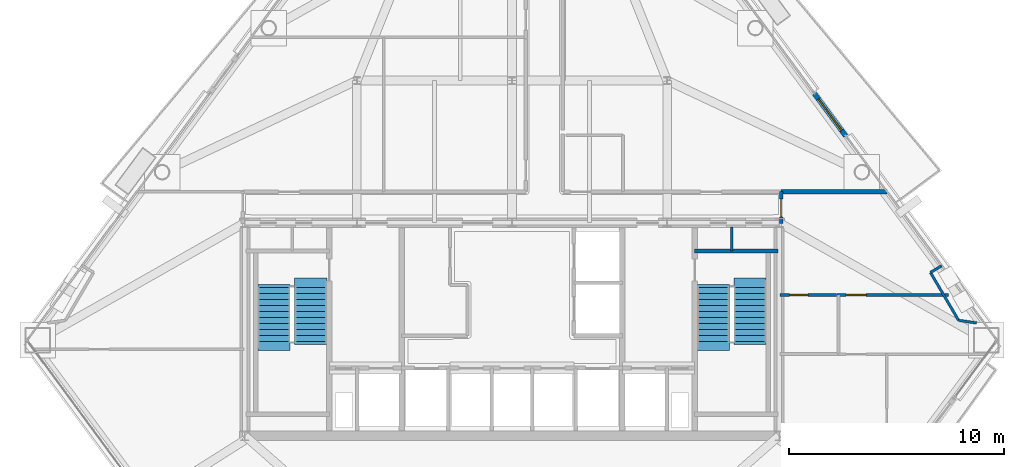
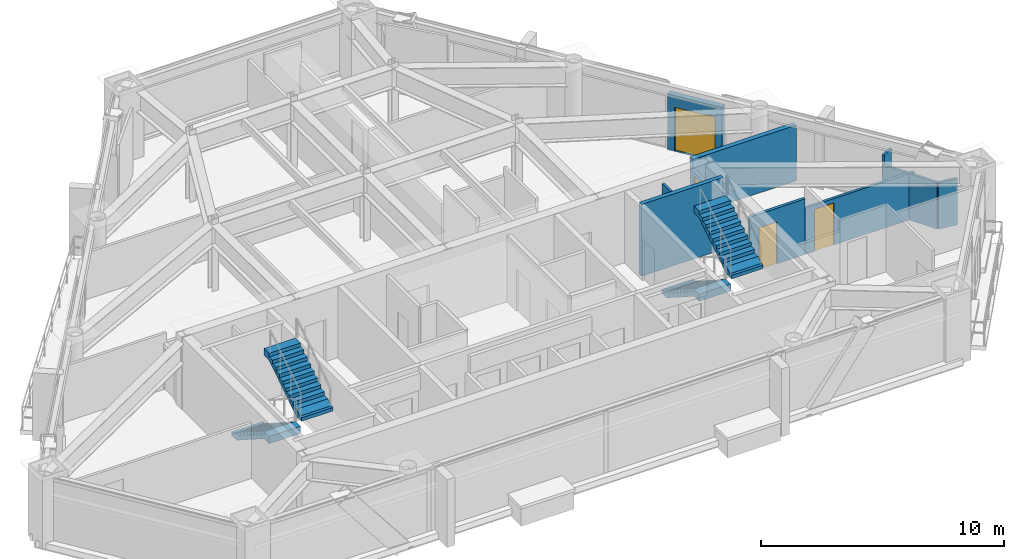
# One storey, part 9 of 11: 10 walls, 4 doors, 4 stair flights, 4 openings, 2 elements without a shape of their own.
"""IFC4 building model written with IfcOpenShell, lengths in metres."""

from ifc_helpers import new_model, si_unit, direction, frame, frame_2d, origin, place, context, subcontext, project, spatial, polyline, rectangle, outline, extrude, material, layer, layer_set, type_object, element, fill, aggregate, save


model = new_model("IFC4")

# Units and contexts
model_context = context("Model", 3, precision=1e-05, world=origin(), true_north=direction((0.0, 1.0)))
body_context = subcontext(model_context, "Body", "Model", "MODEL_VIEW")
ifc_project = project(units=[si_unit("LENGTHUNIT", "METRE"), si_unit("AREAUNIT", "SQUARE_METRE"), si_unit("VOLUMEUNIT", "CUBIC_METRE"), si_unit("PLANEANGLEUNIT", "RADIAN"), si_unit("MASSUNIT", "GRAM", prefix="KILO")], contexts=[model_context])

# Site, building, storey
site_placement = place(None, origin())
site = spatial("IfcSite", under=ifc_project, at=site_placement, CompositionType="ELEMENT")
building_placement = place(site_placement, origin())
building = spatial("IfcBuilding", under=site, at=building_placement, Name="Talgorran Terracotta Tower", CompositionType="ELEMENT")
storey_placement = place(building_placement, frame((0.0, 0.0, 125.699951171875)))
storey = spatial("IfcBuildingStorey", under=building, at=storey_placement, Name="L32", CompositionType="ELEMENT", Elevation=125.699951171875)

# Wall, opening, door
ifc_material_1 = material(Name="Concrete C40/50", Category="concrete")
ifc_layer_1 = layer(ifc_material_1, 0.239990234375, Name="WT_BALCONY_SPAND")
ifc_layer_set_1 = layer_set([ifc_layer_1], Name="Concrete C40/50")
wall_type_1 = type_object("IfcWallType", Name="WT_BALCONY_SPAND", PredefinedType="STANDARD", material=ifc_layer_set_1)
wall_1_placement = place(storey_placement, frame((15.492919921875, -0.166259765625, -0.014892578125), z_axis=(0.0, 0.0, 1.0), x_axis=(-0.594655490218, 0.803980626603, 0.0)))
wall_1 = element("IfcWall", 1, at=wall_1_placement, inside=storey, type_object=wall_type_1, Name="WL-L32-BALP-BAL-NE", PredefinedType="STANDARD", context=body_context, shape_type="SweptSolid", body=[
    extrude(rectangle(XDim=2.43994140625, YDim=0.239990234375, at=frame_2d((1.219970703125, 0.0))), origin(), (0.0, 0.0, 1.0), 2.806884765625),
])
opening_1_placement = place(wall_1_placement, frame((0.320068359375, 0.0, 0.014892578125)))
opening_1 = element("IfcOpeningElement", 2, at=opening_1_placement, cuts=wall_1, Name="Opening D-BAL-L32-1", PredefinedType="OPENING", context=body_context, shape_type="SweptSolid", body=[
    extrude(rectangle(XDim=1.806048828125, YDim=2.203951171875, at=frame_2d((0.89990234375, 1.10205078125))), frame((0.0, 0.1298828125, 0.0), z_axis=(0.0, -1.0, 0.0), x_axis=(1.0, 0.0, 0.0)), (0.0, 0.0, 1.0), 0.260009765625),
])
ifc_material_2 = material(Name="Thermally Broken Aluminium", Category="aluminium")
door_type_1 = type_object("IfcDoorType", Name="DT_BALC_1800", OperationType="SLIDING_TO_LEFT", PredefinedType="DOOR", material=ifc_material_2)
door_1_placement = place(opening_1_placement, origin())
door_1 = element("IfcDoor", 3, at=door_1_placement, inside=storey, type_object=door_type_1, Name="DR-L32-BAL-BAL-NE", OperationType="SLIDING_TO_LEFT", OverallHeight=2.199951171875, OverallWidth=1.800048828125, PredefinedType="DOOR", context=body_context, shape_type="SweptSolid", body=[
    extrude(rectangle(XDim=1.800048828125, YDim=2.199951171875, at=frame_2d((0.89990234375, 1.10009765625))), frame((0.0, 0.02490234375, 0.0), z_axis=(0.0, -1.0, 0.0), x_axis=(1.0, 0.0, 0.0)), (0.0, 0.0, 1.0), 0.050048828125),
])
fill(opening_1, door_1)

# Wall
ifc_material_3 = material(Name="Concrete C50/60", Category="concrete")
ifc_layer_2 = layer(ifc_material_3, 0.199951171875, Name="WT_CORE_200")
ifc_layer_set_2 = layer_set([ifc_layer_2], Name="Concrete C50/60")
wall_type_2 = type_object("IfcWallType", Name="WT_CORE_200", PredefinedType="SOLIDWALL", material=ifc_layer_set_2)
wall_2_placement = place(storey_placement, frame((8.47998046875, -5.52001953125, 0.0), z_axis=(0.0, 0.0, 1.0), x_axis=(1.0, 0.0, 0.0)))
element("IfcWall", 4, at=wall_2_placement, inside=storey, type_object=wall_type_2, Name="WL-L32-CW-ST2-N", PredefinedType="SOLIDWALL", context=body_context, shape_type="SweptSolid", body=[
    extrude(rectangle(XDim=3.8701171875, YDim=0.199951171875, at=frame_2d((1.93505859375, 0.0))), origin(), (0.0, 0.0, 1.0), 3.60009765625),
])

# Wall, opening, door
ifc_material_4 = material(Name="Fire-Rated Steel Stud Plasterboard", Category="steel")
ifc_layer_3 = layer(ifc_material_4, 0.14990234375, Name="WT_FIRE_150")
ifc_layer_set_3 = layer_set([ifc_layer_3], Name="Fire-Rated Steel Stud Plasterboard")
wall_type_3 = type_object("IfcWallType", Name="WT_FIRE_150", PredefinedType="PARTITIONING", material=ifc_layer_set_3)
wall_3_placement = place(storey_placement, frame((12.5, -4.239990234375, 0.0), z_axis=(0.0, 0.0, 1.0), x_axis=(0.0, 1.0, 0.0)))
wall_3 = element("IfcWall", 5, at=wall_3_placement, inside=storey, type_object=wall_type_3, Name="WL-L32-W-L32-R03", PredefinedType="PARTITIONING", context=body_context, shape_type="SweptSolid", body=[
    extrude(rectangle(XDim=1.47998046875, YDim=0.14990234375, at=frame_2d((0.739990234375, 0.0))), origin(), (0.0, 0.0, 1.0), 2.324951171875),
])
opening_2_placement = place(wall_3_placement, frame((0.31494140625, 0.0, 0.0)))
opening_2 = element("IfcOpeningElement", 6, at=opening_2_placement, cuts=wall_3, Name="Opening DR-L32-R02", PredefinedType="OPENING", context=body_context, shape_type="SweptSolid", body=[
    extrude(rectangle(XDim=0.826068359375, YDim=2.10409765625, at=frame_2d((0.41015625, 1.052001953125))), frame((0.0, 0.0849609375, 0.0), z_axis=(0.0, -1.0, 0.0), x_axis=(1.0, 0.0, 0.0)), (0.0, 0.0, 1.0), 0.169921875),
])
ifc_material_5 = material(Name="Moisture-Resistant Solid Timber", Category="wood")
door_type_2 = type_object("IfcDoorType", Name="DT_INT_820", OperationType="NOTDEFINED", PredefinedType="DOOR", material=ifc_material_5)
door_2_placement = place(opening_2_placement, origin())
door_2 = element("IfcDoor", 7, at=door_2_placement, inside=storey, type_object=door_type_2, Name="DR-L32-R02", OperationType="SINGLE_SWING_RIGHT", OverallHeight=2.10009765625, OverallWidth=0.820068359375, PredefinedType="DOOR", context=body_context, shape_type="SweptSolid", body=[
    extrude(rectangle(XDim=0.820068359375, YDim=2.10009765625, at=frame_2d((0.41015625, 1.050048828125))), frame((0.0, 0.02490234375, 0.0), z_axis=(0.0, -1.0, 0.0), x_axis=(1.0, 0.0, 0.0)), (0.0, 0.0, 1.0), 0.050048828125),
])
fill(opening_2, door_2)

# Walls
ifc_material_6 = material(Name="Acoustic Masonry and Plasterboard", Category="masonry")
ifc_layer_4 = layer(ifc_material_6, 0.219970703125, Name="WT_PARTY_220")
ifc_layer_set_4 = layer_set([ifc_layer_4], Name="Acoustic Masonry and Plasterboard")
wall_type_4 = type_object("IfcWallType", Name="WT_PARTY_220", PredefinedType="PARTITIONING", material=ifc_layer_set_4)
wall_4_placement = place(storey_placement, frame((12.5, -2.760009765625, 0.0), z_axis=(0.0, 0.0, 1.0), x_axis=(1.0, 0.0, 0.0)))
element("IfcWall", 8, at=wall_4_placement, inside=storey, type_object=wall_type_4, Name="WL-L32-W-L32-R18", PredefinedType="PARTITIONING", context=body_context, shape_type="SweptSolid", body=[
    extrude(rectangle(XDim=4.911376953125, YDim=0.219970703125, at=frame_2d((2.45556640625, 0.0))), origin(), (0.0, 0.0, 1.0), 2.7919921875),
])
ifc_material_7 = material(Name="Insulated Steel Stud Plasterboard", Category="steel")
ifc_layer_5 = layer(ifc_material_7, 0.1201171875, Name="WT_PART_120")
ifc_layer_set_5 = layer_set([ifc_layer_5], Name="Insulated Steel Stud Plasterboard")
wall_type_5 = type_object("IfcWallType", Name="WT_PART_120", PredefinedType="PARTITIONING", material=ifc_layer_set_5)
wall_5_placement = place(storey_placement, frame((10.199951171875, -5.52001953125, 0.0), z_axis=(0.0, 0.0, 1.0), x_axis=(0.0, 1.0, 0.0)))
element("IfcWall", 9, at=wall_5_placement, inside=storey, type_object=wall_type_5, Name="WL-L32-CW-CSE-DIV", PredefinedType="PARTITIONING", context=body_context, shape_type="SweptSolid", body=[
    extrude(rectangle(XDim=1.1201171875, YDim=0.1201171875, at=frame_2d((0.56005859375, 0.0))), origin(), (0.0, 0.0, 1.0), 3.35009765625),
])

# Wall, opening, door
wall_6_placement = place(storey_placement, frame((15.080078125, -7.56005859375, 0.0), z_axis=(0.0, 0.0, 1.0), x_axis=(1.0, 0.0, 0.0)))
wall_6 = element("IfcWall", 10, at=wall_6_placement, inside=storey, type_object=wall_type_5, Name="WL-L32-W-L32-R17", PredefinedType="PARTITIONING", context=body_context, shape_type="SweptSolid", body=[
    extrude(rectangle(XDim=5.179931640625, YDim=0.1201171875, at=frame_2d((2.58984375, 0.0))), origin(), (0.0, 0.0, 1.0), 2.324951171875),
])
opening_3_placement = place(wall_6_placement, frame((0.43994140625, 0.0, 0.0)))
opening_3 = element("IfcOpeningElement", 11, at=opening_3_placement, cuts=wall_6, Name="Opening DR-L32-R04", PredefinedType="OPENING", context=body_context, shape_type="SweptSolid", body=[
    extrude(rectangle(XDim=0.925921875, YDim=2.10409765625, at=frame_2d((0.4599609375, 1.052001953125))), frame((0.0, 0.070068359375, 0.0), z_axis=(0.0, -1.0, 0.0), x_axis=(1.0, 0.0, 0.0)), (0.0, 0.0, 1.0), 0.14013671875),
])
ifc_material_8 = material(Name="Solid-Core Painted Timber", Category="wood")
door_type_3 = type_object("IfcDoorType", Name="DT_INT_920", OperationType="NOTDEFINED", PredefinedType="DOOR", material=ifc_material_8)
door_3_placement = place(opening_3_placement, origin())
door_3 = element("IfcDoor", 12, at=door_3_placement, inside=storey, type_object=door_type_3, Name="DR-L32-R04", OperationType="SINGLE_SWING_RIGHT", OverallHeight=2.10009765625, OverallWidth=0.919921875, PredefinedType="DOOR", context=body_context, shape_type="SweptSolid", body=[
    extrude(rectangle(XDim=0.919921875, YDim=2.10009765625, at=frame_2d((0.4599609375, 1.050048828125))), frame((0.0, 0.02490234375, 0.0), z_axis=(0.0, -1.0, 0.0), x_axis=(1.0, 0.0, 0.0)), (0.0, 0.0, 1.0), 0.050048828125),
])
fill(opening_3, door_3)

# Walls
wall_7_placement = place(storey_placement, frame((20.733154296875, -8.73486328125, 0.0), z_axis=(0.0, 0.0, 1.0), x_axis=(-0.505993956434, 0.862537023004, 0.0)))
element("IfcWall", 13, at=wall_7_placement, inside=storey, type_object=wall_type_5, Name="WL-L32-BW-L32-13", PredefinedType="PARTITIONING", context=body_context, shape_type="SweptSolid", body=[
    extrude(rectangle(XDim=2.579345703125, YDim=0.1201171875, at=frame_2d((1.28955078125, 0.0))), origin(), (0.0, 0.0, 1.0), 2.324951171875),
])
wall_8_placement = place(storey_placement, frame((21.57080078125, -8.856201171875, 0.0), z_axis=(0.0, 0.0, 1.0), x_axis=(-0.989670684279, 0.143359466653, 0.0)))
element("IfcWall", 14, at=wall_8_placement, inside=storey, type_object=wall_type_5, Name="WL-L32-BW-L32-12", PredefinedType="PARTITIONING", context=body_context, shape_type="SweptSolid", body=[
    extrude(rectangle(XDim=0.846435546875, YDim=0.1201171875, at=frame_2d((0.42333984375, 0.0))), origin(), (0.0, 0.0, 1.0), 2.324951171875),
])
wall_9_placement = place(storey_placement, frame((19.427978515625, -6.510009765625, 0.0), z_axis=(0.0, 0.0, 1.0), x_axis=(0.86267356237, 0.505761134121, 0.0)))
element("IfcWall", 15, at=wall_9_placement, inside=storey, type_object=wall_type_5, Name="WL-L32-BW-L32-11", PredefinedType="PARTITIONING", context=body_context, shape_type="SweptSolid", body=[
    extrude(rectangle(XDim=0.60205078125, YDim=0.1201171875, at=frame_2d((0.301025390625, 0.0))), origin(), (0.0, 0.0, 1.0), 2.7919921875),
])

# Wall, opening, door
ifc_material_9 = material(Name="Moisture-Resistant Stud Wall")
ifc_layer_6 = layer(ifc_material_9, 0.135009765625, Name="WT_PART_135")
ifc_layer_set_6 = layer_set([ifc_layer_6], Name="Moisture-Resistant Stud Wall")
wall_type_6 = type_object("IfcWallType", Name="WT_PART_135", PredefinedType="PARTITIONING", material=ifc_layer_set_6)
wall_10_placement = place(storey_placement, frame((12.43994140625, -7.56005859375, 0.0), z_axis=(0.0, 0.0, 1.0), x_axis=(1.0, 0.0, 0.0)))
wall_10 = element("IfcWall", 16, at=wall_10_placement, inside=storey, type_object=wall_type_6, Name="WL-L32-W-L32-R16", PredefinedType="PARTITIONING", context=body_context, shape_type="SweptSolid", body=[
    extrude(rectangle(XDim=2.637939453125, YDim=0.135009765625, at=frame_2d((1.31884765625, 0.0))), origin(), (0.0, 0.0, 1.0), 2.7919921875),
])
opening_4_placement = place(wall_10_placement, frame((0.458251953125, 0.0, 0.0)))
opening_4 = element("IfcOpeningElement", 17, at=opening_4_placement, cuts=wall_10, Name="Opening DR-L32-R03", PredefinedType="OPENING", context=body_context, shape_type="SweptSolid", body=[
    extrude(rectangle(XDim=0.85609765625, YDim=2.10409765625, at=frame_2d((0.425048828125, 1.052001953125))), frame((0.0, 0.07763671875, 0.0), z_axis=(0.0, -1.0, 0.0), x_axis=(1.0, 0.0, 0.0)), (0.0, 0.0, 1.0), 0.155029296875),
])
door_type_4 = type_object("IfcDoorType", Name="DT_INT_850", OperationType="NOTDEFINED", PredefinedType="DOOR", material=ifc_material_5)
door_4_placement = place(opening_4_placement, origin())
door_4 = element("IfcDoor", 18, at=door_4_placement, inside=storey, type_object=door_type_4, Name="DR-L32-R03", OperationType="SINGLE_SWING_LEFT", OverallHeight=2.10009765625, OverallWidth=0.85009765625, PredefinedType="DOOR", context=body_context, shape_type="SweptSolid", body=[
    extrude(rectangle(XDim=0.85009765625, YDim=2.10009765625, at=frame_2d((0.425048828125, 1.050048828125))), frame((0.0, 0.02490234375, 0.0), z_axis=(0.0, -1.0, 0.0), x_axis=(1.0, 0.0, 0.0)), (0.0, 0.0, 1.0), 0.050048828125),
])
fill(opening_4, door_4)

# Stair, stair flights
stair_type = type_object("IfcStairType", Name="ST_FIRE_SCISSOR", PredefinedType="HALF_TURN_STAIR", material=ifc_material_1)
stair_1_placement = place(storey_placement, origin())
stair_1 = element("IfcStair", 19, at=stair_1_placement, inside=storey, type_object=stair_type, Name="L32 West Protected Fire Stair ST-01", PredefinedType="HALF_TURN_STAIR")
ifc_layer_7 = layer(ifc_material_1, 0.179931640625, Name="STF_RC_1500")
ifc_layer_set_7 = layer_set([ifc_layer_7], Name="Concrete C40/50")
stair_flight_type = type_object("IfcStairFlightType", Name="STF_RC_1500", PredefinedType="STRAIGHT", material=ifc_layer_set_7)
stair_flight_1_placement = place(storey_placement, frame((-11.050048828125, -7.199951171875, 0.0), z_axis=(0.0, 0.0, 1.0), x_axis=(0.0, -1.0, 0.0)))
stair_flight_1 = element("IfcStairFlight", 20, at=stair_flight_1_placement, type_object=stair_flight_type, Name="ST-01 flight 1", NumberOfRisers=10, NumberOfTreads=9, PredefinedType="STRAIGHT", RiserHeight=0.18, TreadLength=0.28, context=body_context, shape_type="SweptSolid", body=[
    extrude(outline(polyline([(-0.139892578125, 0.0), (-0.139892578125, 0.179931640625), (0.0, 0.179931640625), (0.280029296875, 0.360107421875), (0.56005859375, 0.360107421875), (0.56005859375, 0.5400390625), (0.840087890625, 0.5400390625), (0.840087890625, 0.719970703125), (1.1201171875, 0.719970703125), (1.1201171875, 0.89990234375), (1.39990234375, 0.89990234375), (1.39990234375, 1.080078125), (1.679931640625, 1.080078125), (1.679931640625, 1.260009765625), (1.9599609375, 1.260009765625), (1.9599609375, 1.43994140625), (2.239990234375, 1.43994140625), (2.239990234375, 1.6201171875), (2.52001953125, 1.6201171875), (2.52001953125, 1.800048828125), (2.93994140625, 1.800048828125), (2.93994140625, 1.44189453125), (2.52001953125, 1.44189453125), (0.277099609375, 0.0), (-0.139892578125, 0.0)])), frame((0.0, 0.75, 0.0), z_axis=(0.0, -1.0, 0.0), x_axis=(1.0, 0.0, 0.0)), (0.0, 0.0, 1.0), 1.5),
])
stair_flight_2_placement = place(storey_placement, frame((-9.35009765625, -9.719970703125, 1.800048828125), z_axis=(0.0, 0.0, 1.0), x_axis=(0.0, 1.0, 0.0)))
stair_flight_2 = element("IfcStairFlight", 21, at=stair_flight_2_placement, type_object=stair_flight_type, Name="ST-01 flight 2", NumberOfRisers=10, NumberOfTreads=9, PredefinedType="STRAIGHT", RiserHeight=0.18, TreadLength=0.28, context=body_context, shape_type="SweptSolid", body=[
    extrude(outline(polyline([(-0.139892578125, 0.0), (-0.139892578125, 0.179931640625), (0.0, 0.179931640625), (0.280029296875, 0.360107421875), (0.56005859375, 0.360107421875), (0.56005859375, 0.5400390625), (0.840087890625, 0.5400390625), (0.840087890625, 0.719970703125), (1.1201171875, 0.719970703125), (1.1201171875, 0.89990234375), (1.39990234375, 0.89990234375), (1.39990234375, 1.080078125), (1.679931640625, 1.080078125), (1.679931640625, 1.260009765625), (1.9599609375, 1.260009765625), (1.9599609375, 1.43994140625), (2.239990234375, 1.43994140625), (2.239990234375, 1.6201171875), (2.52001953125, 1.6201171875), (2.52001953125, 1.800048828125), (2.93994140625, 1.800048828125), (2.93994140625, 1.44189453125), (2.52001953125, 1.44189453125), (0.277099609375, 0.0), (-0.139892578125, 0.0)])), frame((0.0, 0.75, 0.0), z_axis=(0.0, -1.0, 0.0), x_axis=(1.0, 0.0, 0.0)), (0.0, 0.0, 1.0), 1.5),
])
aggregate(stair_1, [stair_flight_1, stair_flight_2])

stair_2_placement = place(storey_placement, origin())
stair_2 = element("IfcStair", 22, at=stair_2_placement, inside=storey, type_object=stair_type, Name="L32 East Protected Fire Stair ST-02", PredefinedType="HALF_TURN_STAIR")
stair_flight_3_placement = place(storey_placement, frame((9.35009765625, -7.199951171875, 0.0), z_axis=(0.0, 0.0, 1.0), x_axis=(0.0, -1.0, 0.0)))
stair_flight_3 = element("IfcStairFlight", 23, at=stair_flight_3_placement, type_object=stair_flight_type, Name="ST-02 flight 1", NumberOfRisers=10, NumberOfTreads=9, PredefinedType="STRAIGHT", RiserHeight=0.18, TreadLength=0.28, context=body_context, shape_type="SweptSolid", body=[
    extrude(outline(polyline([(-0.139892578125, 0.0), (-0.139892578125, 0.179931640625), (0.0, 0.179931640625), (0.280029296875, 0.360107421875), (0.56005859375, 0.360107421875), (0.56005859375, 0.5400390625), (0.840087890625, 0.5400390625), (0.840087890625, 0.719970703125), (1.1201171875, 0.719970703125), (1.1201171875, 0.89990234375), (1.39990234375, 0.89990234375), (1.39990234375, 1.080078125), (1.679931640625, 1.080078125), (1.679931640625, 1.260009765625), (1.9599609375, 1.260009765625), (1.9599609375, 1.43994140625), (2.239990234375, 1.43994140625), (2.239990234375, 1.6201171875), (2.52001953125, 1.6201171875), (2.52001953125, 1.800048828125), (2.93994140625, 1.800048828125), (2.93994140625, 1.44189453125), (2.52001953125, 1.44189453125), (0.277099609375, 0.0), (-0.139892578125, 0.0)])), frame((0.0, 0.75, 0.0), z_axis=(0.0, -1.0, 0.0), x_axis=(1.0, 0.0, 0.0)), (0.0, 0.0, 1.0), 1.5),
])
stair_flight_4_placement = place(storey_placement, frame((11.050048828125, -9.719970703125, 1.800048828125), z_axis=(0.0, 0.0, 1.0), x_axis=(0.0, 1.0, 0.0)))
stair_flight_4 = element("IfcStairFlight", 24, at=stair_flight_4_placement, type_object=stair_flight_type, Name="ST-02 flight 2", NumberOfRisers=10, NumberOfTreads=9, PredefinedType="STRAIGHT", RiserHeight=0.18, TreadLength=0.28, context=body_context, shape_type="SweptSolid", body=[
    extrude(outline(polyline([(-0.139892578125, 0.0), (-0.139892578125, 0.179931640625), (0.0, 0.179931640625), (0.280029296875, 0.360107421875), (0.56005859375, 0.360107421875), (0.56005859375, 0.5400390625), (0.840087890625, 0.5400390625), (0.840087890625, 0.719970703125), (1.1201171875, 0.719970703125), (1.1201171875, 0.89990234375), (1.39990234375, 0.89990234375), (1.39990234375, 1.080078125), (1.679931640625, 1.080078125), (1.679931640625, 1.260009765625), (1.9599609375, 1.260009765625), (1.9599609375, 1.43994140625), (2.239990234375, 1.43994140625), (2.239990234375, 1.6201171875), (2.52001953125, 1.6201171875), (2.52001953125, 1.800048828125), (2.93994140625, 1.800048828125), (2.93994140625, 1.44189453125), (2.52001953125, 1.44189453125), (0.277099609375, 0.0), (-0.139892578125, 0.0)])), frame((0.0, 0.75, 0.0), z_axis=(0.0, -1.0, 0.0), x_axis=(1.0, 0.0, 0.0)), (0.0, 0.0, 1.0), 1.5),
])
aggregate(stair_2, [stair_flight_3, stair_flight_4])

save(model, "model.ifc")
